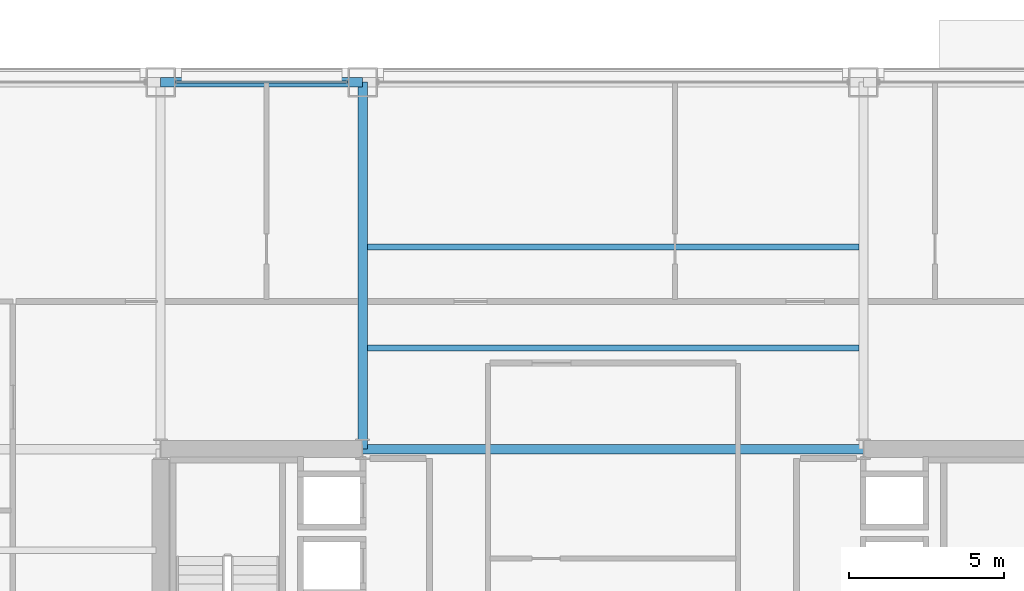
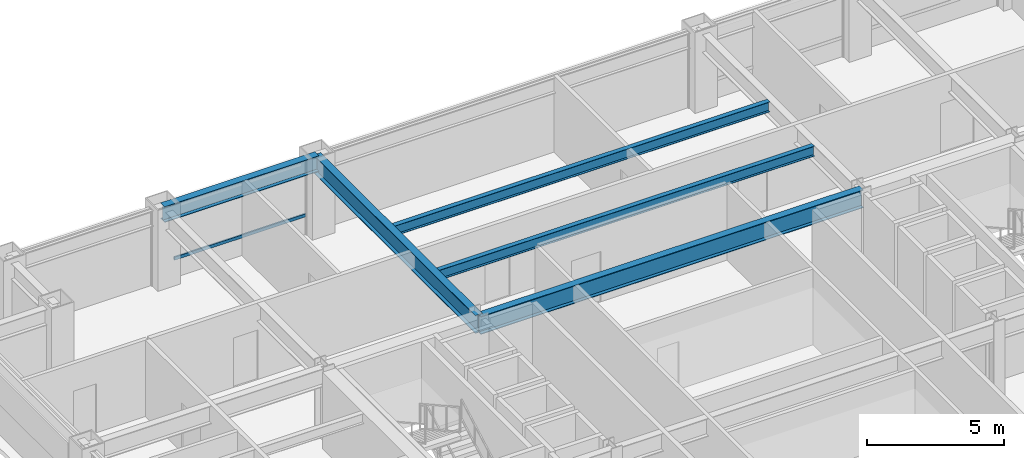
# One storey, part 18 of 28: 5 beams, 1 member, 1 element without a shape of its own.
"""IFC4 building model written with IfcOpenShell, lengths in metres."""

import ifcopenshell
import ifcopenshell.guid

model = None  # the IFC model being written
_history = None  # IfcOwnerHistory: only IFC2X3 demands one
_inside = {}  # id of a spatial element -> (the spatial element, [elements in it])
_under = {}  # id of a project, library or spatial element -> (it, [spatial elements below it])
_declared = {}  # id of a project -> (the project, [libraries it declares])
_typed = {}  # id of a type object -> (the type object, [elements of that type])
_made_of = {}  # id of a material, layer set ... -> (it, [elements and type objects made of it])


def new_model(schema):
    """Start an empty IFC model of exactly this schema.

    Asked for "IFC4X3", IfcOpenShell would pick the latest addendum, in which some entities
    have other attributes; the version numbers below select the first issue.
    IFC2X3 requires an IfcOwnerHistory on every rooted entity: one is made here for all.
    """
    global model, _history
    if schema == "IFC4X3":
        model = ifcopenshell.file(schema_version=(4, 3, 0, 0))
    else:
        model = ifcopenshell.file(schema=schema)
    _inside.clear()
    _under.clear()
    _declared.clear()
    _typed.clear()
    _made_of.clear()
    _history = None
    if model.schema == "IFC2X3":
        org = make("IfcOrganization", Name="unknown")
        user = make(
            "IfcPersonAndOrganization",
            ThePerson=make("IfcPerson", FamilyName="unknown"),
            TheOrganization=org,
        )
        app = make(
            "IfcApplication",
            ApplicationDeveloper=org,
            Version="unknown",
            ApplicationFullName="unknown",
            ApplicationIdentifier="unknown",
        )
        _history = make(
            "IfcOwnerHistory",
            OwningUser=user,
            OwningApplication=app,
            ChangeAction="ADDED",
            CreationDate=0,
        )
    return model


def make(cls, **values):
    """One entity of the class cls with the attributes given. An attribute that is None is left unset."""
    return model.create_entity(
        cls, **{name: value for name, value in values.items() if value is not None}
    )


def rooted(cls, **values):
    """An entity with a GlobalId (a new one), such as an element, a storey or a relation."""
    return make(cls, GlobalId=ifcopenshell.guid.new(), OwnerHistory=_history, **values)


def si_unit(unit_type, name, prefix=None):
    """IfcSIUnit, for example si_unit("LENGTHUNIT", "METRE", prefix="MILLI")."""
    return make("IfcSIUnit", UnitType=unit_type, Prefix=prefix, Name=name)


def assignment(units):
    """IfcUnitAssignment: the units of a project."""
    return None if units is None else make("IfcUnitAssignment", Units=units)


def point(xyz):
    """IfcCartesianPoint."""
    return None if xyz is None else make("IfcCartesianPoint", Coordinates=xyz)


def direction(xyz):
    """IfcDirection."""
    return None if xyz is None else make("IfcDirection", DirectionRatios=xyz)


def frame(location, z_axis=None, x_axis=None):
    """IfcAxis2Placement3D, a coordinate frame: its origin and axes. An axis left out is left unset."""
    return make(
        "IfcAxis2Placement3D",
        Location=point(location),
        Axis=direction(z_axis),
        RefDirection=direction(x_axis),
    )


def frame_2d(location, x_axis=None):
    """IfcAxis2Placement2D, a coordinate frame in the plane: its origin and x axis."""
    return make(
        "IfcAxis2Placement2D", Location=point(location), RefDirection=direction(x_axis)
    )


def origin():
    """The frame at (0, 0, 0) with its axes left unset."""
    return frame((0.0, 0.0, 0.0))


def origin_2d():
    """The frame at (0, 0) in the plane with its x axis left unset."""
    return frame_2d((0.0, 0.0))


def place(relative_to, where):
    """IfcLocalPlacement: puts the frame where relative to a parent placement (None: the world)."""
    return make(
        "IfcLocalPlacement", PlacementRelTo=relative_to, RelativePlacement=where
    )


def context(
    kind, dimensions, precision=None, world=None, true_north=None, identifier=None
):
    """IfcGeometricRepresentationContext, for example the 3D "Model" context."""
    return make(
        "IfcGeometricRepresentationContext",
        ContextIdentifier=identifier,
        ContextType=kind,
        CoordinateSpaceDimension=dimensions,
        Precision=precision,
        WorldCoordinateSystem=world,
        TrueNorth=true_north,
    )


def subcontext(parent, identifier, kind, view, scale=None):
    """IfcGeometricRepresentationSubContext, for example "Body" below "Model"."""
    return make(
        "IfcGeometricRepresentationSubContext",
        ContextIdentifier=identifier,
        ContextType=kind,
        ParentContext=parent,
        TargetScale=scale,
        TargetView=view,
    )


def project(units=None, contexts=None):
    """IfcProject with its units and contexts."""
    return rooted(
        "IfcProject",
        Name="project",
        RepresentationContexts=contexts,
        UnitsInContext=assignment(units),
    )


def spatial(cls, under=None, at=None, **own):
    """A site, building, storey or space (cls), placed at a placement, below another one or the project."""
    s = rooted(cls, ObjectPlacement=at, **own)
    if under is not None:
        _under.setdefault(under.id(), (under, []))[1].append(s)
    return s


def profile(cls, at=None, kind="AREA", **sizes):
    """A parametric profile (cls). Its sizes go by their IFC names, for example OverallWidth=200.0."""
    return make(cls, ProfileType=kind, Position=at, **sizes)


def hollow_rectangle(**sizes):
    """IfcRectangleHollowProfileDef."""
    return profile("IfcRectangleHollowProfileDef", **sizes)


def i_section(**sizes):
    """IfcIShapeProfileDef."""
    return profile("IfcIShapeProfileDef", **sizes)


def extrude(swept, where, along, depth):
    """IfcExtrudedAreaSolid: the profile swept, set in the frame where, extruded along a direction by depth."""
    return make(
        "IfcExtrudedAreaSolid",
        SweptArea=swept,
        Position=where,
        ExtrudedDirection=direction(along),
        Depth=depth,
    )


def shape(context_of_items, identifier, shape_type, items):
    """IfcShapeRepresentation: the items that make up one representation, for example the "Body"."""
    return make(
        "IfcShapeRepresentation",
        ContextOfItems=context_of_items,
        RepresentationIdentifier=identifier,
        RepresentationType=shape_type,
        Items=items,
    )


def material(Name=None, Category=None):
    """IfcMaterial."""
    return make("IfcMaterial", Name=Name, Category=Category)


def layer(
    of_material, thickness, ventilated=None, Name=None, Category=None, Priority=None
):
    """IfcMaterialLayer: one layer of a wall or slab, of a material (None: an air gap)."""
    return make(
        "IfcMaterialLayer",
        Material=of_material,
        LayerThickness=thickness,
        IsVentilated=ventilated,
        Name=Name,
        Category=Category,
        Priority=Priority,
    )


def layer_set(layers, Name=None):
    """IfcMaterialLayerSet."""
    return make("IfcMaterialLayerSet", MaterialLayers=layers, LayerSetName=Name)


def material_profile(
    of_material, cross_section, Name=None, Category=None, Priority=None
):
    """IfcMaterialProfile: a cross section and its material."""
    return make(
        "IfcMaterialProfile",
        Name=Name,
        Material=of_material,
        Profile=cross_section,
        Priority=Priority,
        Category=Category,
    )


def profile_set(profiles, Name=None, composite=None):
    """IfcMaterialProfileSet."""
    return make(
        "IfcMaterialProfileSet",
        Name=Name,
        MaterialProfiles=profiles,
        CompositeProfile=composite,
    )


def made_of(thing, what):
    """Note that an element or type object is made of a material, layer set ...; save() writes the relation."""
    if what is not None:
        _made_of.setdefault(what.id(), (what, []))[1].append(thing)
    return thing


def type_object(cls, material=None, **own):
    """A type object (cls), such as IfcWallType, which elements share."""
    return made_of(rooted(cls, **own), material)


def element(
    cls,
    number,
    at=None,
    inside=None,
    cuts=None,
    type_object=None,
    material=None,
    context=None,
    identifier="Body",
    shape_type=None,
    held_by="IfcProductDefinitionShape",
    body=None,
    shapes=None,
    **own,
):
    """One element of the class cls, such as IfcWall. Its Tag is "e" and its number.

    at: its placement. inside: the storey or other place that contains it. cuts: it is an
    opening in that element (IfcRelVoidsElement). A single representation is given by context,
    identifier, shape_type and body (its items); several are given by shapes. held_by: the class
    of the entity that holds the representations. save() writes the other relations.
    """
    e = rooted(cls, Tag="e%d" % number, ObjectPlacement=at, **own)
    if body is not None:
        shapes = [shape(context, identifier, shape_type, body)]
    if shapes is not None:
        e.Representation = make(held_by, Representations=shapes)
    if inside is not None:
        _inside.setdefault(inside.id(), (inside, []))[1].append(e)
    if cuts is not None:
        rooted(
            "IfcRelVoidsElement", RelatingBuildingElement=cuts, RelatedOpeningElement=e
        )
    if type_object is not None:
        _typed.setdefault(type_object.id(), (type_object, []))[1].append(e)
    return made_of(e, material)


def aggregate(whole, parts):
    """IfcRelAggregates: a whole, such as a stair, and the parts it consists of."""
    return rooted("IfcRelAggregates", RelatingObject=whole, RelatedObjects=parts)


def save(model, path):
    """Write the relations noted so far, then the file.

    IfcRelAggregates (storeys below a building ...), IfcRelContainedInSpatialStructure (elements
    in a storey), IfcRelDefinesByType, IfcRelAssociatesMaterial and IfcRelDeclares: one each for
    every whole, place, type object, material and project.
    """
    for whole, parts in _under.values():
        aggregate(whole, parts)
    for where, things in _inside.values():
        rooted(
            "IfcRelContainedInSpatialStructure",
            RelatedElements=things,
            RelatingStructure=where,
        )
    for kind, things in _typed.values():
        rooted("IfcRelDefinesByType", RelatedObjects=things, RelatingType=kind)
    for what, things in _made_of.values():
        rooted("IfcRelAssociatesMaterial", RelatedObjects=things, RelatingMaterial=what)
    for by, libraries in _declared.values():
        rooted("IfcRelDeclares", RelatingContext=by, RelatedDefinitions=libraries)
    model.write(path)


model = new_model("IFC4")

# Units and contexts
model_context = context("Model", 3, precision=1e-05, world=origin(), true_north=direction((0.0, 1.0)))
body_context = subcontext(model_context, "Body", "Model", "MODEL_VIEW")
ifc_project = project(units=[si_unit("LENGTHUNIT", "METRE"), si_unit("AREAUNIT", "SQUARE_METRE"), si_unit("VOLUMEUNIT", "CUBIC_METRE"), si_unit("PLANEANGLEUNIT", "RADIAN"), si_unit("MASSUNIT", "GRAM", prefix="KILO")], contexts=[model_context])

# Site, building, storey
site_placement = place(None, origin())
site = spatial("IfcSite", under=ifc_project, at=site_placement, CompositionType="ELEMENT")
building_placement = place(site_placement, origin())
building = spatial("IfcBuilding", under=site, at=building_placement, Name="Brelmoor Portico Tower", CompositionType="ELEMENT")
storey_placement = place(building_placement, frame((0.0, 0.0, 49.199951171875)))
storey = spatial("IfcBuildingStorey", under=building, at=storey_placement, Name="L12", CompositionType="ELEMENT", Elevation=49.199951171875)

# Beams
ifc_material_1 = material(Name="Steel Q355B", Category="steel")
ifc_material_profile_1 = material_profile(ifc_material_1, i_section(OverallWidth=0.199951171875, OverallDepth=0.449951171875, WebThickness=0.009033203125, FlangeThickness=0.013916015625, at=origin_2d()), Name="HN 450x200x9x14")
ifc_profile_set_1 = profile_set([ifc_material_profile_1], Name="Steel Q355B")
beam_type_1 = type_object("IfcBeamType", Name="BM-JS-450", PredefinedType="JOIST", material=ifc_profile_set_1)
for number, where, z_axis, x_axis, name in (
    (1, (-7.89990234375, 13.0, 3.175048828125), (1.0, 0.0, 0.0), (0.0, 1.0, 0.0), "L12 Secondary Composite Joist JS-C03"),
    (2, (-7.89990234375, 16.25, 3.175048828125), (1.0, 0.0, 0.0), (0.0, 1.0, 0.0), "L12 Secondary Composite Joist JS-C04"),
):
    element("IfcBeam", number, at=place(storey_placement, frame(where, z_axis=z_axis, x_axis=x_axis)), inside=storey, type_object=beam_type_1, Name=name, PredefinedType="JOIST", context=body_context, shape_type="SweptSolid", body=[
        extrude(i_section(OverallWidth=0.199951171875, OverallDepth=0.449951171875, WebThickness=0.009033203125, FlangeThickness=0.013916015625, at=origin_2d()), origin(), (0.0, 0.0, 1.0), 15.7998046875),
    ])
ifc_material_profile_2 = material_profile(ifc_material_1, i_section(OverallWidth=0.300048828125, OverallDepth=0.800048828125, WebThickness=0.013916015625, FlangeThickness=0.02587890625, at=origin_2d()), Name="HN 800x300x14x26")
ifc_profile_set_2 = profile_set([ifc_material_profile_2], Name="Steel Q355B")
beam_type_2 = type_object("IfcBeamType", Name="BM-PG-800", PredefinedType="BEAM", material=ifc_profile_set_2)
beam_1_placement = place(storey_placement, frame((-8.050048828125, 9.75, 3.0), z_axis=(0.0, 1.0, 0.0), x_axis=(-1.0, 0.0, 0.0)))
element("IfcBeam", 3, at=beam_1_placement, inside=storey, type_object=beam_type_2, Name="L12 Primary Floor Girder PG-08", PredefinedType="BEAM", context=body_context, shape_type="SweptSolid", body=[
    extrude(i_section(OverallWidth=0.300048828125, OverallDepth=0.800048828125, WebThickness=0.013916015625, FlangeThickness=0.02587890625, at=origin_2d()), origin(), (0.0, 0.0, 1.0), 11.800048828125),
])
beam_2_placement = place(storey_placement, frame((-8.050048828125, 9.75, 3.0), z_axis=(1.0, 0.0, 0.0), x_axis=(0.0, 1.0, 0.0)))
element("IfcBeam", 4, at=beam_2_placement, inside=storey, type_object=beam_type_2, Name="L12 Primary Floor Girder PG-29", PredefinedType="BEAM", context=body_context, shape_type="SweptSolid", body=[
    extrude(i_section(OverallWidth=0.300048828125, OverallDepth=0.800048828125, WebThickness=0.013916015625, FlangeThickness=0.02587890625, at=origin_2d()), origin(), (0.0, 0.0, 1.0), 16.10009765625),
])
ifc_material_profile_3 = material_profile(ifc_material_1, i_section(OverallWidth=0.300048828125, OverallDepth=0.699951171875, WebThickness=0.012939453125, FlangeThickness=0.02392578125, at=origin_2d()), Name="HN 700x300x13x24")
ifc_profile_set_3 = profile_set([ifc_material_profile_3], Name="Steel Q355B")
beam_type_3 = type_object("IfcBeamType", Name="BM-SP-700", PredefinedType="SPANDREL", material=ifc_profile_set_3)
beam_3_placement = place(storey_placement, frame((-14.550048828125, 21.550048828125, 3.050048828125), z_axis=(1.0, 0.0, 0.0), x_axis=(0.0, 1.0, 0.0)))
element("IfcBeam", 5, at=beam_3_placement, inside=storey, type_object=beam_type_3, Name="L12 Perimeter Spandrel Beam SP-11", PredefinedType="SPANDREL", context=body_context, shape_type="SweptSolid", body=[
    extrude(i_section(OverallWidth=0.300048828125, OverallDepth=0.699951171875, WebThickness=0.012939453125, FlangeThickness=0.02392578125, at=origin_2d()), origin(), (0.0, 0.0, 1.0), 6.5),
])

# Curtain wall, member
ifc_material_2 = material(Name="Anodised Aluminium Alloy 6063-T6", Category="aluminium")
ifc_layer = layer(ifc_material_2, 0.179931640625)
ifc_layer_set = layer_set([ifc_layer], Name="Anodised Aluminium Alloy 6063-T6")
curtain_wall_type = type_object("IfcCurtainWallType", Name="CW-TOWER-Z1", PredefinedType="NOTDEFINED", material=ifc_layer_set)
curtain_wall_placement = place(storey_placement, origin())
curtain_wall = element("IfcCurtainWall", 6, at=curtain_wall_placement, inside=storey, type_object=curtain_wall_type, Name="L12 Curtain Wall CW-L12-02-2", PredefinedType="NOTDEFINED")
ifc_material_profile_4 = material_profile(ifc_material_2, hollow_rectangle(XDim=0.06494140625, YDim=0.139892578125, WallThickness=0.00390625, at=origin_2d()), Name="ALU TRANSOM 65x140")
ifc_profile_set_4 = profile_set([ifc_material_profile_4], Name="Anodised Aluminium Alloy 6063-T6")
member_type = type_object("IfcMemberType", Name="MB-CW-TRAN-140", PredefinedType="USERDEFINED", material=ifc_profile_set_4)
member_placement = place(storey_placement, frame((-14.06494140625, 21.550048828125, 0.85009765625), z_axis=(1.0, 0.0, 0.0), x_axis=(0.0, 1.0, 0.0)))
member = element("IfcMember", 7, at=member_placement, type_object=member_type, Name="CW-L12-02-2 Transom 1-00", ObjectType="TRANSOM", PredefinedType="USERDEFINED", context=body_context, shape_type="SweptSolid", body=[
    extrude(hollow_rectangle(XDim=0.06494140625, YDim=0.139892578125, WallThickness=0.00390625, at=origin_2d()), origin(), (0.0, 0.0, 1.0), 5.530029296875),
])
aggregate(curtain_wall, [member])

save(model, "model.ifc")
